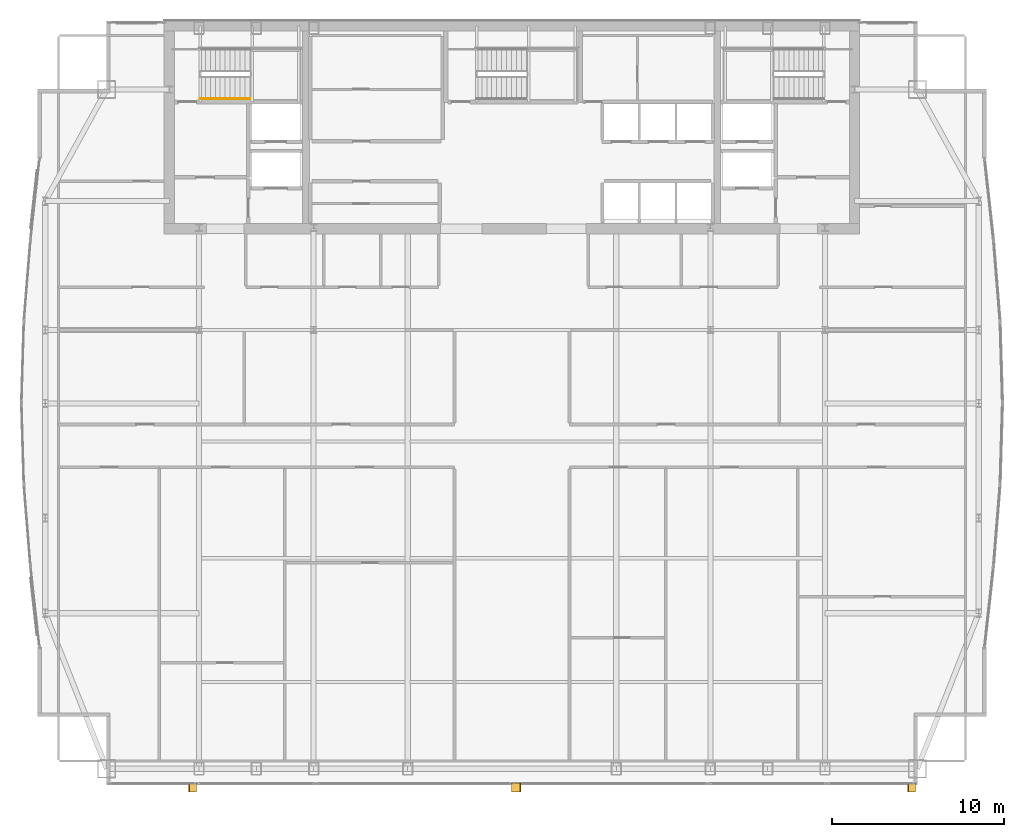
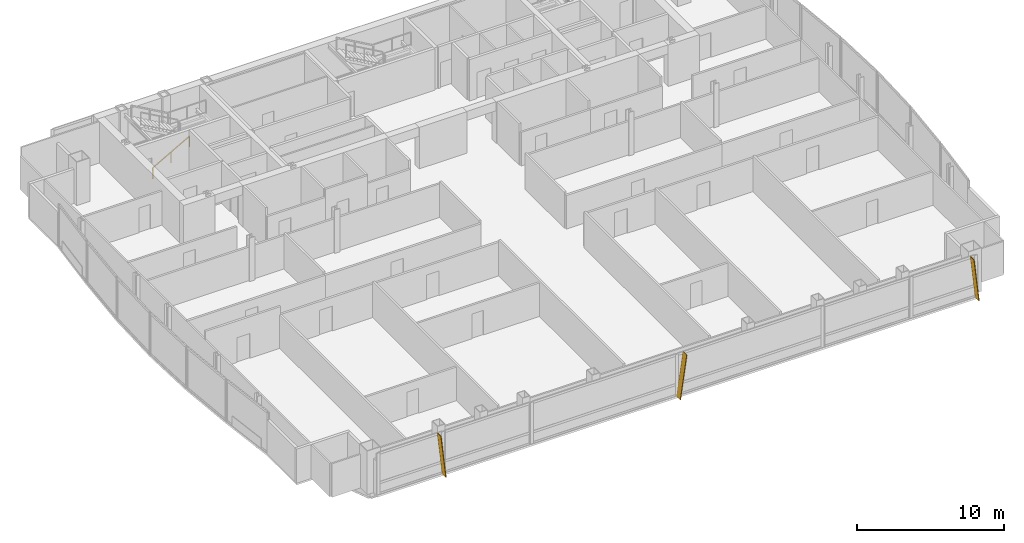
# One storey, part 28 of 29: 3 shading devices, 1 railing.
"""IFC4 building model written with IfcOpenShell, lengths in metres."""

import ifcopenshell
import ifcopenshell.guid

model = None  # the IFC model being written
_history = None  # IfcOwnerHistory: only IFC2X3 demands one
_inside = {}  # id of a spatial element -> (the spatial element, [elements in it])
_under = {}  # id of a project, library or spatial element -> (it, [spatial elements below it])
_declared = {}  # id of a project -> (the project, [libraries it declares])
_typed = {}  # id of a type object -> (the type object, [elements of that type])
_made_of = {}  # id of a material, layer set ... -> (it, [elements and type objects made of it])


def new_model(schema):
    """Start an empty IFC model of exactly this schema.

    Asked for "IFC4X3", IfcOpenShell would pick the latest addendum, in which some entities
    have other attributes; the version numbers below select the first issue.
    IFC2X3 requires an IfcOwnerHistory on every rooted entity: one is made here for all.
    """
    global model, _history
    if schema == "IFC4X3":
        model = ifcopenshell.file(schema_version=(4, 3, 0, 0))
    else:
        model = ifcopenshell.file(schema=schema)
    _inside.clear()
    _under.clear()
    _declared.clear()
    _typed.clear()
    _made_of.clear()
    _history = None
    if model.schema == "IFC2X3":
        org = make("IfcOrganization", Name="unknown")
        user = make(
            "IfcPersonAndOrganization",
            ThePerson=make("IfcPerson", FamilyName="unknown"),
            TheOrganization=org,
        )
        app = make(
            "IfcApplication",
            ApplicationDeveloper=org,
            Version="unknown",
            ApplicationFullName="unknown",
            ApplicationIdentifier="unknown",
        )
        _history = make(
            "IfcOwnerHistory",
            OwningUser=user,
            OwningApplication=app,
            ChangeAction="ADDED",
            CreationDate=0,
        )
    return model


def make(cls, **values):
    """One entity of the class cls with the attributes given. An attribute that is None is left unset."""
    return model.create_entity(
        cls, **{name: value for name, value in values.items() if value is not None}
    )


def rooted(cls, **values):
    """An entity with a GlobalId (a new one), such as an element, a storey or a relation."""
    return make(cls, GlobalId=ifcopenshell.guid.new(), OwnerHistory=_history, **values)


def si_unit(unit_type, name, prefix=None):
    """IfcSIUnit, for example si_unit("LENGTHUNIT", "METRE", prefix="MILLI")."""
    return make("IfcSIUnit", UnitType=unit_type, Prefix=prefix, Name=name)


def assignment(units):
    """IfcUnitAssignment: the units of a project."""
    return None if units is None else make("IfcUnitAssignment", Units=units)


def point(xyz):
    """IfcCartesianPoint."""
    return None if xyz is None else make("IfcCartesianPoint", Coordinates=xyz)


def direction(xyz):
    """IfcDirection."""
    return None if xyz is None else make("IfcDirection", DirectionRatios=xyz)


def frame(location, z_axis=None, x_axis=None):
    """IfcAxis2Placement3D, a coordinate frame: its origin and axes. An axis left out is left unset."""
    return make(
        "IfcAxis2Placement3D",
        Location=point(location),
        Axis=direction(z_axis),
        RefDirection=direction(x_axis),
    )


def frame_2d(location, x_axis=None):
    """IfcAxis2Placement2D, a coordinate frame in the plane: its origin and x axis."""
    return make(
        "IfcAxis2Placement2D", Location=point(location), RefDirection=direction(x_axis)
    )


def origin():
    """The frame at (0, 0, 0) with its axes left unset."""
    return frame((0.0, 0.0, 0.0))


def origin_2d():
    """The frame at (0, 0) in the plane with its x axis left unset."""
    return frame_2d((0.0, 0.0))


def place(relative_to, where):
    """IfcLocalPlacement: puts the frame where relative to a parent placement (None: the world)."""
    return make(
        "IfcLocalPlacement", PlacementRelTo=relative_to, RelativePlacement=where
    )


def context(
    kind, dimensions, precision=None, world=None, true_north=None, identifier=None
):
    """IfcGeometricRepresentationContext, for example the 3D "Model" context."""
    return make(
        "IfcGeometricRepresentationContext",
        ContextIdentifier=identifier,
        ContextType=kind,
        CoordinateSpaceDimension=dimensions,
        Precision=precision,
        WorldCoordinateSystem=world,
        TrueNorth=true_north,
    )


def subcontext(parent, identifier, kind, view, scale=None):
    """IfcGeometricRepresentationSubContext, for example "Body" below "Model"."""
    return make(
        "IfcGeometricRepresentationSubContext",
        ContextIdentifier=identifier,
        ContextType=kind,
        ParentContext=parent,
        TargetScale=scale,
        TargetView=view,
    )


def project(units=None, contexts=None):
    """IfcProject with its units and contexts."""
    return rooted(
        "IfcProject",
        Name="project",
        RepresentationContexts=contexts,
        UnitsInContext=assignment(units),
    )


def spatial(cls, under=None, at=None, **own):
    """A site, building, storey or space (cls), placed at a placement, below another one or the project."""
    s = rooted(cls, ObjectPlacement=at, **own)
    if under is not None:
        _under.setdefault(under.id(), (under, []))[1].append(s)
    return s


def polyline(points):
    """IfcPolyline through the points."""
    return make("IfcPolyline", Points=[point(p) for p in points])


def profile(cls, at=None, kind="AREA", **sizes):
    """A parametric profile (cls). Its sizes go by their IFC names, for example OverallWidth=200.0."""
    return make(cls, ProfileType=kind, Position=at, **sizes)


def rectangle(**sizes):
    """IfcRectangleProfileDef."""
    return profile("IfcRectangleProfileDef", **sizes)


def outline(outer, holes=None, kind="AREA"):
    """IfcArbitraryClosedProfileDef: a profile drawn as a closed curve; with holes, ...WithVoids."""
    if holes is None:
        return make("IfcArbitraryClosedProfileDef", ProfileType=kind, OuterCurve=outer)
    return make(
        "IfcArbitraryProfileDefWithVoids",
        ProfileType=kind,
        OuterCurve=outer,
        InnerCurves=holes,
    )


def extrude(swept, where, along, depth):
    """IfcExtrudedAreaSolid: the profile swept, set in the frame where, extruded along a direction by depth."""
    return make(
        "IfcExtrudedAreaSolid",
        SweptArea=swept,
        Position=where,
        ExtrudedDirection=direction(along),
        Depth=depth,
    )


def shape(context_of_items, identifier, shape_type, items):
    """IfcShapeRepresentation: the items that make up one representation, for example the "Body"."""
    return make(
        "IfcShapeRepresentation",
        ContextOfItems=context_of_items,
        RepresentationIdentifier=identifier,
        RepresentationType=shape_type,
        Items=items,
    )


def material(Name=None, Category=None):
    """IfcMaterial."""
    return make("IfcMaterial", Name=Name, Category=Category)


def layer(
    of_material, thickness, ventilated=None, Name=None, Category=None, Priority=None
):
    """IfcMaterialLayer: one layer of a wall or slab, of a material (None: an air gap)."""
    return make(
        "IfcMaterialLayer",
        Material=of_material,
        LayerThickness=thickness,
        IsVentilated=ventilated,
        Name=Name,
        Category=Category,
        Priority=Priority,
    )


def layer_set(layers, Name=None):
    """IfcMaterialLayerSet."""
    return make("IfcMaterialLayerSet", MaterialLayers=layers, LayerSetName=Name)


def made_of(thing, what):
    """Note that an element or type object is made of a material, layer set ...; save() writes the relation."""
    if what is not None:
        _made_of.setdefault(what.id(), (what, []))[1].append(thing)
    return thing


def type_object(cls, material=None, **own):
    """A type object (cls), such as IfcWallType, which elements share."""
    return made_of(rooted(cls, **own), material)


def element(
    cls,
    number,
    at=None,
    inside=None,
    cuts=None,
    type_object=None,
    material=None,
    context=None,
    identifier="Body",
    shape_type=None,
    held_by="IfcProductDefinitionShape",
    body=None,
    shapes=None,
    **own,
):
    """One element of the class cls, such as IfcWall. Its Tag is "e" and its number.

    at: its placement. inside: the storey or other place that contains it. cuts: it is an
    opening in that element (IfcRelVoidsElement). A single representation is given by context,
    identifier, shape_type and body (its items); several are given by shapes. held_by: the class
    of the entity that holds the representations. save() writes the other relations.
    """
    e = rooted(cls, Tag="e%d" % number, ObjectPlacement=at, **own)
    if body is not None:
        shapes = [shape(context, identifier, shape_type, body)]
    if shapes is not None:
        e.Representation = make(held_by, Representations=shapes)
    if inside is not None:
        _inside.setdefault(inside.id(), (inside, []))[1].append(e)
    if cuts is not None:
        rooted(
            "IfcRelVoidsElement", RelatingBuildingElement=cuts, RelatedOpeningElement=e
        )
    if type_object is not None:
        _typed.setdefault(type_object.id(), (type_object, []))[1].append(e)
    return made_of(e, material)


def aggregate(whole, parts):
    """IfcRelAggregates: a whole, such as a stair, and the parts it consists of."""
    return rooted("IfcRelAggregates", RelatingObject=whole, RelatedObjects=parts)


def save(model, path):
    """Write the relations noted so far, then the file.

    IfcRelAggregates (storeys below a building ...), IfcRelContainedInSpatialStructure (elements
    in a storey), IfcRelDefinesByType, IfcRelAssociatesMaterial and IfcRelDeclares: one each for
    every whole, place, type object, material and project.
    """
    for whole, parts in _under.values():
        aggregate(whole, parts)
    for where, things in _inside.values():
        rooted(
            "IfcRelContainedInSpatialStructure",
            RelatedElements=things,
            RelatingStructure=where,
        )
    for kind, things in _typed.values():
        rooted("IfcRelDefinesByType", RelatedObjects=things, RelatingType=kind)
    for what, things in _made_of.values():
        rooted("IfcRelAssociatesMaterial", RelatedObjects=things, RelatingMaterial=what)
    for by, libraries in _declared.values():
        rooted("IfcRelDeclares", RelatingContext=by, RelatedDefinitions=libraries)
    model.write(path)


model = new_model("IFC4")

# Units and contexts
model_context = context("Model", 3, precision=1e-05, world=origin(), true_north=direction((0.0, 1.0)))
body_context = subcontext(model_context, "Body", "Model", "MODEL_VIEW")
ifc_project = project(units=[si_unit("LENGTHUNIT", "METRE"), si_unit("AREAUNIT", "SQUARE_METRE"), si_unit("VOLUMEUNIT", "CUBIC_METRE"), si_unit("PLANEANGLEUNIT", "RADIAN"), si_unit("MASSUNIT", "GRAM", prefix="KILO")], contexts=[model_context])

# Site, building, storey
site_placement = place(None, origin())
site = spatial("IfcSite", under=ifc_project, at=site_placement, CompositionType="ELEMENT")
building_placement = place(site_placement, origin())
building = spatial("IfcBuilding", under=site, at=building_placement, Name="Khoronbel Lancet Exchange", CompositionType="ELEMENT")
storey_placement = place(building_placement, frame((0.0, 0.0, 242.60009765625)))
storey = spatial("IfcBuildingStorey", under=building, at=storey_placement, Name="L62", CompositionType="ELEMENT", Elevation=242.60009765625)

# Railing
ifc_material_1 = material(Name="Brushed Stainless Steel 316", Category="steel")
railing_type = type_object("IfcRailingType", Name="RL-STH92", PredefinedType="HANDRAIL", material=ifc_material_1)
railing_placement = place(storey_placement, frame((18.300048828125, 49.169921875, 0.16357421875)))
element("IfcRailing", 1, at=railing_placement, inside=storey, type_object=railing_type, Name="L62 ST1 stair handrail 1", PredefinedType="HANDRAIL", context=body_context, shape_type="SweptSolid", body=[
    extrude(rectangle(XDim=0.048095703125, YDim=0.048095703125, at=origin_2d()), frame((0.0, 0.0, 0.8759765625), z_axis=(0.870928581787, 0.0, 0.491409610636), x_axis=(0.0, 1.0, 0.0)), (0.0, 0.0, 1.0), 3.32958984375),
    extrude(rectangle(XDim=0.0419921875, YDim=0.0419921875, at=origin_2d()), origin(), (0.0, 0.0, 1.0), 0.851806640625),
    extrude(rectangle(XDim=0.0419921875, YDim=0.0419921875, at=origin_2d()), frame((1.449951171875, 0.0, 0.818115234375)), (0.0, 0.0, 1.0), 0.851806640625),
    extrude(rectangle(XDim=0.0419921875, YDim=0.0419921875, at=origin_2d()), frame((2.89990234375, 0.0, 1.63623046875)), (0.0, 0.0, 1.0), 0.851806640625),
])

# Shading devices
ifc_material_2 = material(Name="Bronze-Anodised Aluminium 6063-T6", Category="aluminium")
ifc_layer = layer(ifc_material_2, 0.054931640625, Name="Bronze-Anodised Aluminium 6063-T6")
ifc_layer_set = layer_set([ifc_layer], Name="Bronze-Anodised Aluminium 6063-T6")
shading_device_type = type_object("IfcShadingDeviceType", Name="SHD-FIN1", PredefinedType="USERDEFINED", material=ifc_layer_set)
shading_device_1_placement = place(storey_placement, frame((18.072509765625, 9.31005859375, -0.080078125), z_axis=(0.993900347655, 0.0, 0.110281906632), x_axis=(0.0, -1.0, 0.0)))
element("IfcShadingDevice", 2, at=shading_device_1_placement, inside=storey, type_object=shading_device_type, Name="Slanted bronze solar fin CW-L62-SWV-1", ObjectType="FIN", PredefinedType="USERDEFINED", context=body_context, shape_type="SweptSolid", body=[
    extrude(outline(polyline([(0.0, 0.0), (0.52001953125, 0.0), (0.52001953125, -3.581787109375), (0.0, -3.581787109375), (0.0, 0.0)])), origin(), (0.0, 0.0, -1.0), 0.054931640625),
])
shading_device_2_placement = place(storey_placement, frame((36.422607421875, 9.31005859375, -0.080078125), z_axis=(-0.990092925251, 0.0, 0.140413672296), x_axis=(0.0, -1.0, 0.0)))
element("IfcShadingDevice", 3, at=shading_device_2_placement, inside=storey, type_object=shading_device_type, Name="Slanted bronze solar fin CW-L62-SCV-1", ObjectType="FIN", PredefinedType="USERDEFINED", context=body_context, shape_type="SweptSolid", body=[
    extrude(outline(polyline([(0.0, 0.0), (0.52001953125, 0.0), (0.52001953125, 3.595703125), (0.0, 3.595703125), (0.0, 0.0)])), origin(), (0.0, 0.0, -1.0), 0.054931640625),
])
shading_device_3_placement = place(storey_placement, frame((59.9326171875, 9.31005859375, -0.080078125), z_axis=(0.993900347655, 0.0, 0.110281906632), x_axis=(0.0, -1.0, 0.0)))
element("IfcShadingDevice", 4, at=shading_device_3_placement, inside=storey, type_object=shading_device_type, Name="Slanted bronze solar fin CW-L62-SEV-1", ObjectType="FIN", PredefinedType="USERDEFINED", context=body_context, shape_type="SweptSolid", body=[
    extrude(outline(polyline([(0.0, 0.0), (0.52001953125, 0.0), (0.52001953125, -3.581787109375), (0.0, -3.581787109375), (0.0, 0.0)])), origin(), (0.0, 0.0, -1.0), 0.054931640625),
])

save(model, "model.ifc")
